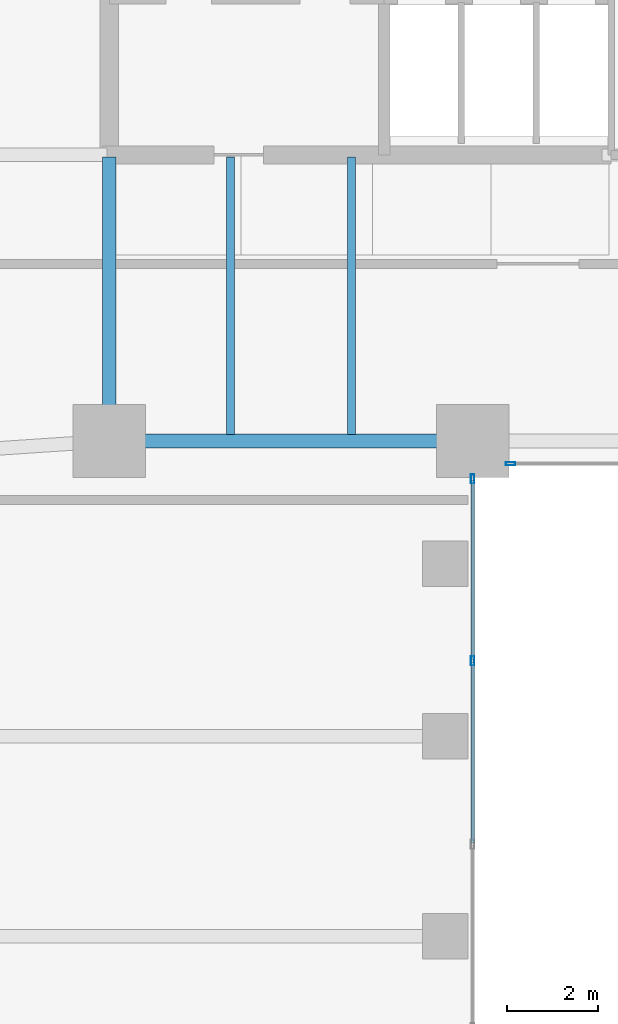
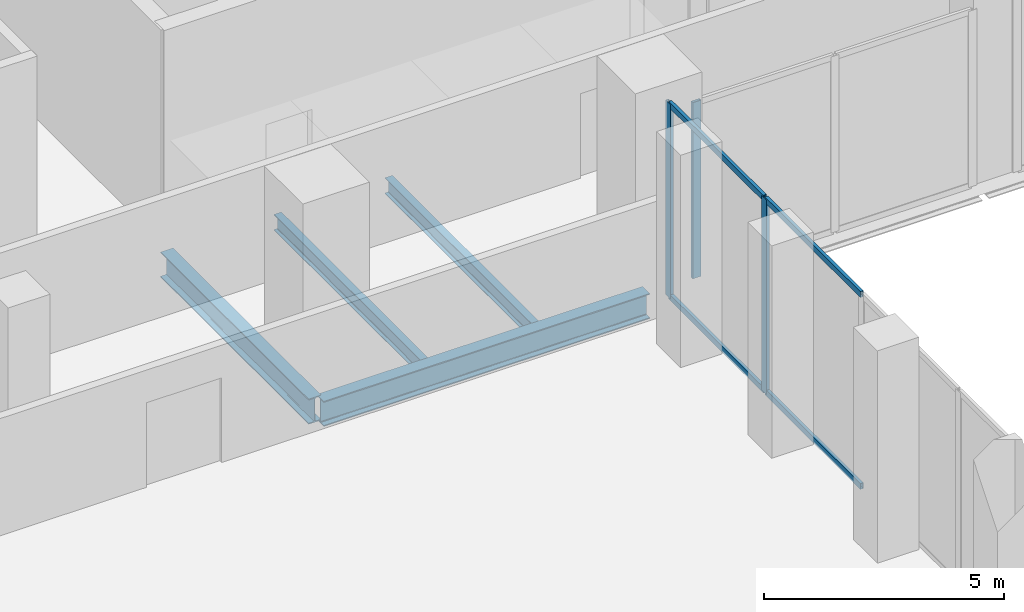
# One storey, part 9 of 24: 7 members, 4 beams, 2 elements without a shape of their own.
"""IFC4 building model written with IfcOpenShell, lengths in metres."""

from ifc_helpers import new_model, si_unit, direction, frame, origin, origin_2d, place, context, subcontext, project, spatial, hollow_rectangle, i_section, extrude, material, layer, layer_set, material_profile, profile_set, type_object, element, aggregate, save


model = new_model("IFC4")

# Units and contexts
model_context = context("Model", 3, precision=1e-05, world=origin(), true_north=direction((0.0, 1.0)))
body_context = subcontext(model_context, "Body", "Model", "MODEL_VIEW")
ifc_project = project(units=[si_unit("LENGTHUNIT", "METRE"), si_unit("AREAUNIT", "SQUARE_METRE"), si_unit("VOLUMEUNIT", "CUBIC_METRE"), si_unit("PLANEANGLEUNIT", "RADIAN"), si_unit("MASSUNIT", "GRAM", prefix="KILO")], contexts=[model_context])

# Site, building, storey
site_placement = place(None, origin())
site = spatial("IfcSite", under=ifc_project, at=site_placement, CompositionType="ELEMENT")
building_placement = place(site_placement, origin())
building = spatial("IfcBuilding", under=site, at=building_placement, Name="Catumbela Crestline Tower", CompositionType="ELEMENT")
storey_placement = place(building_placement, frame((0.0, 0.0, 15.9)))
storey = spatial("IfcBuildingStorey", under=building, at=storey_placement, Name="L03", CompositionType="ELEMENT", Elevation=15.9)

# Beams
ifc_material_1 = material(Name="Structural steel S355J2", Category="steel")
ifc_material_profile_1 = material_profile(ifc_material_1, i_section(OverallWidth=0.3, OverallDepth=0.64, WebThickness=0.0135, FlangeThickness=0.026, FilletRadius=0.027, at=origin_2d()), Name="HEA 650")
ifc_profile_set_1 = profile_set([ifc_material_profile_1], Name="Structural steel S355J2")
beam_type_1 = type_object("IfcBeamType", Name="BG-HEA650", PredefinedType="BEAM", material=ifc_profile_set_1)
beam_1_placement = place(storey_placement, frame((16.08, 24.5, -0.64), z_axis=(1.0, 0.0, 0.0), x_axis=(0.0, 1.0, 0.0)))
element("IfcBeam", 1, at=beam_1_placement, inside=storey, type_object=beam_type_1, Name="L03 Beam BM-L03-S04", PredefinedType="BEAM", context=body_context, shape_type="SweptSolid", body=[
    extrude(i_section(OverallWidth=0.3, OverallDepth=0.64, WebThickness=0.0135, FlangeThickness=0.026, FilletRadius=0.027, at=origin_2d()), origin(), (0.0, 0.0, 1.0), 7.84),
])
beam_2_placement = place(storey_placement, frame((16.0, 24.58, -0.64), z_axis=(0.0, 1.0, 0.0), x_axis=(-1.0, 0.0, 0.0)))
element("IfcBeam", 2, at=beam_2_placement, inside=storey, type_object=beam_type_1, Name="L03 Beam BM-L03-SNS29", PredefinedType="BEAM", context=body_context, shape_type="SweptSolid", body=[
    extrude(i_section(OverallWidth=0.3, OverallDepth=0.64, WebThickness=0.0135, FlangeThickness=0.026, FilletRadius=0.027, at=origin_2d()), origin(), (0.0, 0.0, 1.0), 6.17),
])
ifc_material_profile_2 = material_profile(ifc_material_1, i_section(OverallWidth=0.18, OverallDepth=0.4, WebThickness=0.0086, FlangeThickness=0.0135, FilletRadius=0.021, at=origin_2d()), Name="IPE 400")
ifc_profile_set_2 = profile_set([ifc_material_profile_2], Name="Structural steel S355J2")
beam_type_2 = type_object("IfcBeamType", Name="BJ-IPE400", PredefinedType="JOIST", material=ifc_profile_set_2)
for number, where, z_axis, x_axis, name in (
    (3, (18.667, 24.647, -0.52), (0.0, 1.0, 0.0), (-1.0, 0.0, 0.0), "L03 Joist JS-L03-SP37"),
    (4, (21.333, 24.647, -0.52), (0.0, 1.0, 0.0), (-1.0, 0.0, 0.0), "L03 Joist JS-L03-SP38"),
):
    element("IfcBeam", number, at=place(storey_placement, frame(where, z_axis=z_axis, x_axis=x_axis)), inside=storey, type_object=beam_type_2, Name=name, PredefinedType="JOIST", context=body_context, shape_type="SweptSolid", body=[
        extrude(i_section(OverallWidth=0.18, OverallDepth=0.4, WebThickness=0.0086, FlangeThickness=0.0135, FilletRadius=0.021, at=origin_2d()), origin(), (0.0, 0.0, 1.0), 6.103),
    ])

# Curtain wall, members
ifc_material_2 = material(Name="Aluminium alloy AW-6060-T66", Category="aluminium")
ifc_layer = layer(ifc_material_2, 0.18, Name="Aluminium alloy AW-6060-T66")
ifc_layer_set = layer_set([ifc_layer], Name="Aluminium alloy AW-6060-T66")
curtain_wall_type = type_object("IfcCurtainWallType", Name="CWS-POD", PredefinedType="USERDEFINED", material=ifc_layer_set)
curtain_wall_1_placement = place(storey_placement, origin())
curtain_wall_1 = element("IfcCurtainWall", 5, at=curtain_wall_1_placement, inside=storey, type_object=curtain_wall_type, Name="L03 Stick Curtain Wall CW-L03-E2S1", ObjectType="STICK", PredefinedType="USERDEFINED")
ifc_material_profile_3 = material_profile(ifc_material_2, hollow_rectangle(XDim=0.075, YDim=0.2, WallThickness=0.005, at=origin_2d()), Name="ALU 200x75x5")
ifc_profile_set_3 = profile_set([ifc_material_profile_3], Name="Aluminium alloy AW-6060-T66")
member_type_1 = type_object("IfcMemberType", Name="MUL-200X75", PredefinedType="MULLION", material=ifc_profile_set_3)
member_1_placement = place(storey_placement, frame((24.0, 19.66, 0.0), z_axis=(0.0, 0.0, 1.0), x_axis=(-1.0, 0.0, 0.0)))
member_1 = element("IfcMember", 6, at=member_1_placement, type_object=member_type_1, Name="CWS-POD mullion 5", PredefinedType="MULLION", context=body_context, shape_type="SweptSolid", body=[
    extrude(hollow_rectangle(XDim=0.075, YDim=0.2, WallThickness=0.005, at=origin_2d()), origin(), (0.0, 0.0, 1.0), 4.94),
])
member_2_placement = place(storey_placement, frame((24.0, 23.6675, 0.0), z_axis=(0.0, 0.0, 1.0), x_axis=(-1.0, 0.0, 0.0)))
member_2 = element("IfcMember", 7, at=member_2_placement, type_object=member_type_1, Name="CWS-POD mullion 6", PredefinedType="MULLION", context=body_context, shape_type="SweptSolid", body=[
    extrude(hollow_rectangle(XDim=0.075, YDim=0.2, WallThickness=0.005, at=origin_2d()), origin(), (0.0, 0.0, 1.0), 4.94),
])

# Curtain wall, member
curtain_wall_2_placement = place(storey_placement, origin())
curtain_wall_2 = element("IfcCurtainWall", 8, at=curtain_wall_2_placement, inside=storey, type_object=curtain_wall_type, Name="L03 Stick Curtain Wall CW-L03-E3S1", ObjectType="STICK", PredefinedType="USERDEFINED")
member_3_placement = place(storey_placement, frame((24.8325, 24.0, 0.0), z_axis=(0.0, 0.0, 1.0), x_axis=(0.0, 1.0, 0.0)))
member_3 = element("IfcMember", 9, at=member_3_placement, type_object=member_type_1, Name="CWS-POD mullion 1", PredefinedType="MULLION", context=body_context, shape_type="SweptSolid", body=[
    extrude(hollow_rectangle(XDim=0.075, YDim=0.2, WallThickness=0.005, at=origin_2d()), origin(), (0.0, 0.0, 1.0), 4.48),
])
aggregate(curtain_wall_2, [member_3])

# Member
ifc_material_profile_4 = material_profile(ifc_material_2, hollow_rectangle(XDim=0.075, YDim=0.15, WallThickness=0.0045, at=origin_2d()), Name="ALU 150x75x4.5")
ifc_profile_set_4 = profile_set([ifc_material_profile_4], Name="Aluminium alloy AW-6060-T66")
member_type_2 = type_object("IfcMemberType", Name="TRN-150X75", PredefinedType="USERDEFINED", material=ifc_profile_set_4)
member_4_placement = place(storey_placement, frame((24.0, 15.6525, 0.03), z_axis=(0.0, 1.0, 0.0), x_axis=(-1.0, 0.0, 0.0)))
member_4 = element("IfcMember", 10, at=member_4_placement, type_object=member_type_2, Name="CWS-POD transom 4.1", ObjectType="TRANSOM", PredefinedType="USERDEFINED", context=body_context, shape_type="SweptSolid", body=[
    extrude(hollow_rectangle(XDim=0.075, YDim=0.15, WallThickness=0.0045, at=origin_2d()), origin(), (0.0, 0.0, 1.0), 3.975),
])

member_5_placement = place(storey_placement, frame((24.0, 15.6525, 4.91), z_axis=(0.0, 1.0, 0.0), x_axis=(-1.0, 0.0, 0.0)))
member_5 = element("IfcMember", 11, at=member_5_placement, type_object=member_type_2, Name="CWS-POD transom 4.2", ObjectType="TRANSOM", PredefinedType="USERDEFINED", context=body_context, shape_type="SweptSolid", body=[
    extrude(hollow_rectangle(XDim=0.075, YDim=0.15, WallThickness=0.0045, at=origin_2d()), origin(), (0.0, 0.0, 1.0), 3.975),
])

member_6_placement = place(storey_placement, frame((24.0, 19.6925, 0.03), z_axis=(0.0, 1.0, 0.0), x_axis=(-1.0, 0.0, 0.0)))
member_6 = element("IfcMember", 12, at=member_6_placement, type_object=member_type_2, Name="CWS-POD transom 5.1", ObjectType="TRANSOM", PredefinedType="USERDEFINED", context=body_context, shape_type="SweptSolid", body=[
    extrude(hollow_rectangle(XDim=0.075, YDim=0.15, WallThickness=0.0045, at=origin_2d()), origin(), (0.0, 0.0, 1.0), 3.9425),
])

member_7_placement = place(storey_placement, frame((24.0, 19.6925, 4.91), z_axis=(0.0, 1.0, 0.0), x_axis=(-1.0, 0.0, 0.0)))
member_7 = element("IfcMember", 13, at=member_7_placement, type_object=member_type_2, Name="CWS-POD transom 5.2", ObjectType="TRANSOM", PredefinedType="USERDEFINED", context=body_context, shape_type="SweptSolid", body=[
    extrude(hollow_rectangle(XDim=0.075, YDim=0.15, WallThickness=0.0045, at=origin_2d()), origin(), (0.0, 0.0, 1.0), 3.9425),
])

aggregate(curtain_wall_1, [member_1, member_2, member_4, member_5, member_6, member_7])

save(model, "model.ifc")
